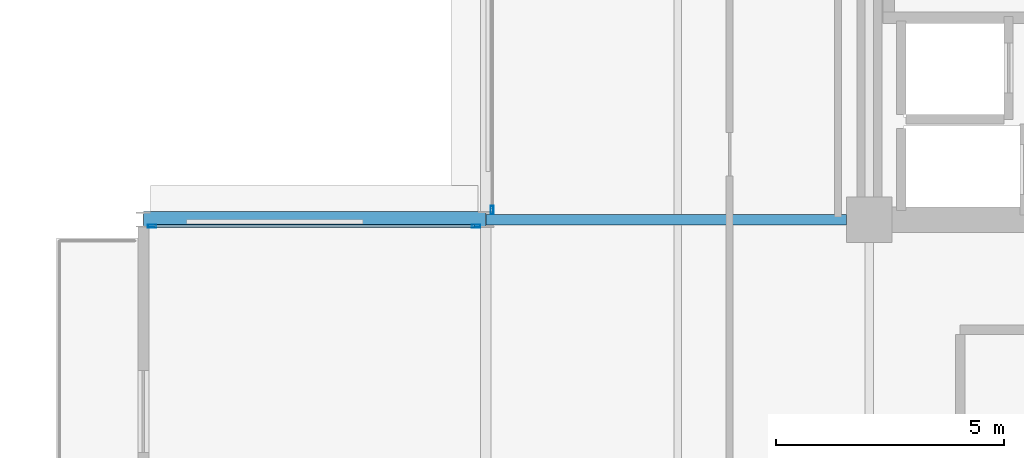
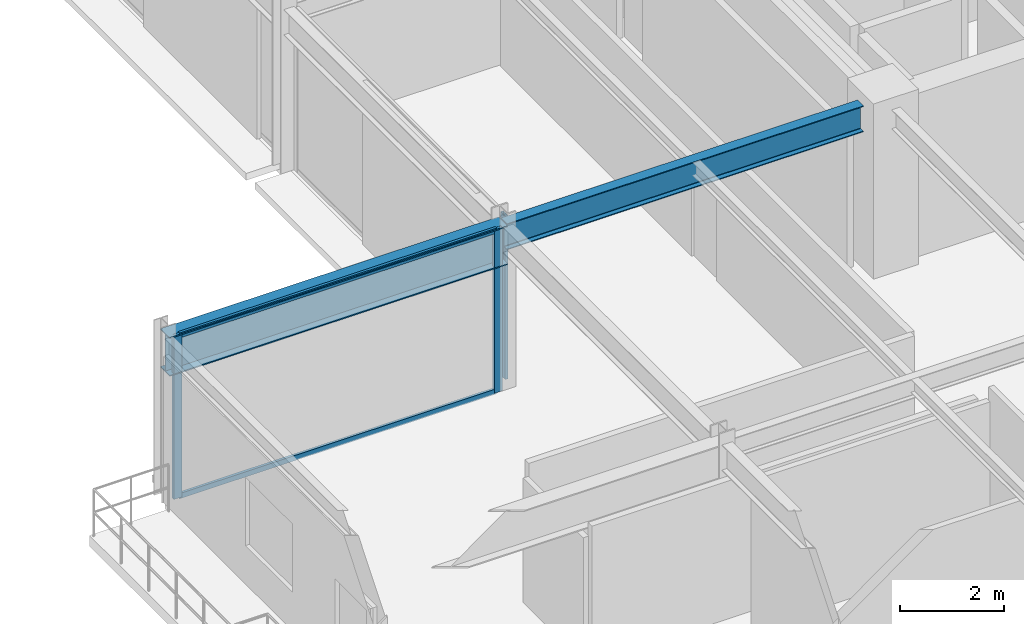
# One storey, part 9 of 29: 5 members, 2 beams, 2 elements without a shape of their own.
"""IFC4 building model written with IfcOpenShell, lengths in metres."""

from ifc_helpers import new_model, si_unit, direction, frame, origin, origin_2d, place, context, subcontext, project, spatial, hollow_rectangle, i_section, extrude, material, layer, layer_set, material_profile, profile_set, type_object, element, aggregate, save


model = new_model("IFC4")

# Units and contexts
model_context = context("Model", 3, precision=1e-05, world=origin(), true_north=direction((0.0, 1.0)))
body_context = subcontext(model_context, "Body", "Model", "MODEL_VIEW")
ifc_project = project(units=[si_unit("LENGTHUNIT", "METRE"), si_unit("AREAUNIT", "SQUARE_METRE"), si_unit("VOLUMEUNIT", "CUBIC_METRE"), si_unit("PLANEANGLEUNIT", "RADIAN"), si_unit("MASSUNIT", "GRAM", prefix="KILO")], contexts=[model_context])

# Site, building, storey
site_placement = place(None, origin())
site = spatial("IfcSite", under=ifc_project, at=site_placement, CompositionType="ELEMENT")
building_placement = place(site_placement, origin())
building = spatial("IfcBuilding", under=site, at=building_placement, Name="Nerrivon Quay Data Exchange", CompositionType="ELEMENT")
storey_placement = place(building_placement, frame((0.0, 0.0, 179.60009765625)))
storey = spatial("IfcBuildingStorey", under=building, at=storey_placement, Name="L42", CompositionType="ELEMENT", Elevation=179.60009765625)

# Beams
ifc_material_1 = material(Name="Steel Grade 350", Category="steel")
ifc_material_profile_1 = material_profile(ifc_material_1, i_section(OverallWidth=0.35009765625, OverallDepth=0.909912109375, WebThickness=0.011962890625, FlangeThickness=0.02490234375, at=origin_2d()), Name="900WB218")
ifc_profile_set_1 = profile_set([ifc_material_profile_1], Name="Steel Grade 350")
beam_type_1 = type_object("IfcBeamType", Name="BM-CANT-900WB", PredefinedType="USERDEFINED", material=ifc_profile_set_1)
beam_1_placement = place(storey_placement, frame((-0.010009765625, 25.199951171875, 3.369873046875), z_axis=(-1.0, 0.0, 0.0), x_axis=(0.0, -1.0, 0.0)))
element("IfcBeam", 1, at=beam_1_placement, inside=storey, type_object=beam_type_1, Name="L42 West Hooked Cantilever Girder Y=25.2", ObjectType="TRANSFER", PredefinedType="USERDEFINED", context=body_context, shape_type="SweptSolid", body=[
    extrude(i_section(OverallWidth=0.35009765625, OverallDepth=0.909912109375, WebThickness=0.011962890625, FlangeThickness=0.02490234375, at=origin_2d()), origin(), (0.0, 0.0, 1.0), 7.482177734375),
])
ifc_material_profile_2 = material_profile(ifc_material_1, i_section(OverallWidth=0.22900390625, OverallDepth=0.612060546875, WebThickness=0.011962890625, FlangeThickness=0.01953125, FilletRadius=0.013916015625, at=origin_2d()), Name="610UB125")
ifc_profile_set_2 = profile_set([ifc_material_profile_2], Name="Steel Grade 350")
beam_type_2 = type_object("IfcBeamType", Name="BM-G1-610UB125", PredefinedType="BEAM", material=ifc_profile_set_2)
beam_2_placement = place(storey_placement, frame((0.010009765625, 25.199951171875, 3.518798828125), z_axis=(1.0, 0.0, 0.0), x_axis=(0.0, 1.0, 0.0)))
element("IfcBeam", 2, at=beam_2_placement, inside=storey, type_object=beam_type_2, Name="L42 EW Girder Y=25.2 (0.0..8.4)", PredefinedType="BEAM", context=body_context, shape_type="SweptSolid", body=[
    extrude(i_section(OverallWidth=0.22900390625, OverallDepth=0.612060546875, WebThickness=0.011962890625, FlangeThickness=0.01953125, FilletRadius=0.013916015625, at=origin_2d()), origin(), (0.0, 0.0, 1.0), 7.889892578125),
])

# Curtain wall, members
ifc_material_2 = material(Name="Anodised aluminium 6063-T6", Category="aluminium")
ifc_layer_1 = layer(ifc_material_2, 0.199951171875)
ifc_layer_set_1 = layer_set([ifc_layer_1], Name="Anodised aluminium 6063-T6")
curtain_wall_type_1 = type_object("IfcCurtainWallType", Name="CW-SYS-04", PredefinedType="NOTDEFINED", material=ifc_layer_set_1)
curtain_wall_1_placement = place(storey_placement, origin())
curtain_wall_1 = element("IfcCurtainWall", 3, at=curtain_wall_1_placement, inside=storey, type_object=curtain_wall_type_1, Name="L42 Unitised Curtain Wall 3", PredefinedType="NOTDEFINED")
ifc_material_profile_3 = material_profile(ifc_material_2, hollow_rectangle(XDim=0.06494140625, YDim=0.179931640625, WallThickness=0.00341796875, at=origin_2d()), Name="ALU-MULL-180x65")
ifc_profile_set_3 = profile_set([ifc_material_profile_3], Name="Anodised aluminium 6063-T6")
member_type_1 = type_object("IfcMemberType", Name="CWM-180x65", PredefinedType="MULLION", material=ifc_profile_set_3)
member_1_placement = place(storey_placement, frame((-7.306884765625, 25.06005859375, 0.0), z_axis=(0.0, 0.0, 1.0), x_axis=(0.0, 1.0, 0.0)))
member_1 = element("IfcMember", 4, at=member_1_placement, type_object=member_type_1, Name="CW04 mullion 1", PredefinedType="MULLION", context=body_context, shape_type="SweptSolid", body=[
    extrude(hollow_rectangle(XDim=0.06494140625, YDim=0.179931640625, WallThickness=0.00341796875, at=origin_2d()), origin(), (0.0, 0.0, 1.0), 3.824951171875),
])
member_2_placement = place(storey_placement, frame((-0.21240234375, 25.06005859375, 0.0), z_axis=(0.0, 0.0, 1.0), x_axis=(0.0, 1.0, 0.0)))
member_2 = element("IfcMember", 5, at=member_2_placement, type_object=member_type_1, Name="CW04 mullion 2", PredefinedType="MULLION", context=body_context, shape_type="SweptSolid", body=[
    extrude(hollow_rectangle(XDim=0.06494140625, YDim=0.179931640625, WallThickness=0.00341796875, at=origin_2d()), origin(), (0.0, 0.0, 1.0), 3.824951171875),
])

# Curtain wall, member
ifc_layer_2 = layer(ifc_material_2, 0.195068359375)
ifc_layer_set_2 = layer_set([ifc_layer_2], Name="Anodised aluminium 6063-T6")
curtain_wall_type_2 = type_object("IfcCurtainWallType", Name="CW-SYS-06", PredefinedType="NOTDEFINED", material=ifc_layer_set_2)
curtain_wall_2_placement = place(storey_placement, origin())
curtain_wall_2 = element("IfcCurtainWall", 6, at=curtain_wall_2_placement, inside=storey, type_object=curtain_wall_type_2, Name="L42 Unitised Curtain Wall 4", PredefinedType="NOTDEFINED")
member_3_placement = place(storey_placement, frame((0.139892578125, 25.41259765625, 0.0), z_axis=(0.0, 0.0, 1.0), x_axis=(-1.0, 0.0, 0.0)))
member_3 = element("IfcMember", 7, at=member_3_placement, type_object=member_type_1, Name="CW06 mullion 1", PredefinedType="MULLION", context=body_context, shape_type="SweptSolid", body=[
    extrude(hollow_rectangle(XDim=0.06494140625, YDim=0.179931640625, WallThickness=0.00341796875, at=origin_2d()), origin(), (0.0, 0.0, 1.0), 3.824951171875),
])
aggregate(curtain_wall_2, [member_3])

# Member
ifc_material_profile_4 = material_profile(ifc_material_2, hollow_rectangle(XDim=0.06005859375, YDim=0.1201171875, WallThickness=0.003173828125, at=origin_2d()), Name="ALU-TRAN-120x60")
ifc_profile_set_4 = profile_set([ifc_material_profile_4], Name="Anodised aluminium 6063-T6")
member_type_2 = type_object("IfcMemberType", Name="CWT-120x60", PredefinedType="USERDEFINED", material=ifc_profile_set_4)
member_4_placement = place(storey_placement, frame((-7.26953125, 25.06005859375, 0.032470703125), z_axis=(1.0, 0.0, 0.0), x_axis=(0.0, 1.0, 0.0)))
member_4 = element("IfcMember", 8, at=member_4_placement, type_object=member_type_2, Name="CW04 transom 1.1", ObjectType="TRANSOM", PredefinedType="USERDEFINED", context=body_context, shape_type="SweptSolid", body=[
    extrude(hollow_rectangle(XDim=0.06005859375, YDim=0.1201171875, WallThickness=0.003173828125, at=origin_2d()), origin(), (0.0, 0.0, 1.0), 7.01953125),
])

member_5_placement = place(storey_placement, frame((-7.26953125, 25.06005859375, 3.79248046875), z_axis=(1.0, 0.0, 0.0), x_axis=(0.0, 1.0, 0.0)))
member_5 = element("IfcMember", 9, at=member_5_placement, type_object=member_type_2, Name="CW04 transom 1.2", ObjectType="TRANSOM", PredefinedType="USERDEFINED", context=body_context, shape_type="SweptSolid", body=[
    extrude(hollow_rectangle(XDim=0.06005859375, YDim=0.1201171875, WallThickness=0.003173828125, at=origin_2d()), origin(), (0.0, 0.0, 1.0), 7.01953125),
])

aggregate(curtain_wall_1, [member_1, member_2, member_4, member_5])

save(model, "model.ifc")
